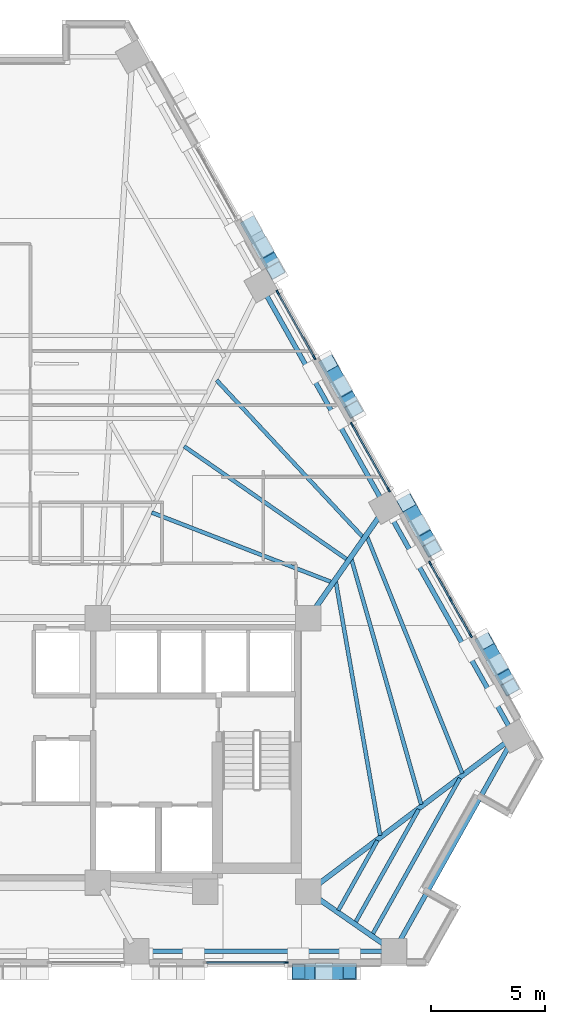
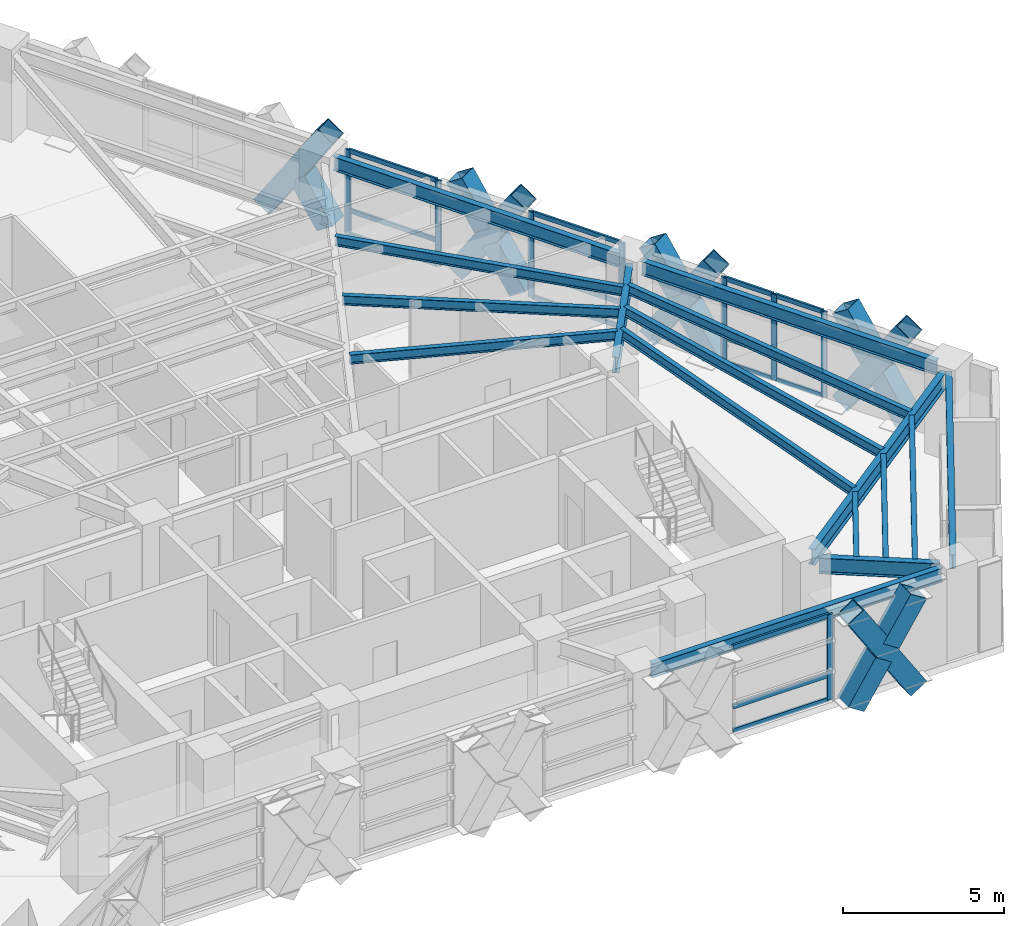
# One storey, part 4 of 14: 37 members, 16 beams, 4 elements without a shape of their own.
"""IFC4 building model written with IfcOpenShell, lengths in metres."""

from ifc_helpers import new_model, si_unit, direction, frame, origin, origin_2d, place, context, subcontext, project, spatial, rectangle, hollow_rectangle, i_section, extrude, material, material_profile, profile_set, type_object, element, aggregate, save


model = new_model("IFC4")

# Units and contexts
model_context = context("Model", 3, precision=1e-05, world=origin(), true_north=direction((0.0, 1.0)))
body_context = subcontext(model_context, "Body", "Model", "MODEL_VIEW")
ifc_project = project(units=[si_unit("LENGTHUNIT", "METRE"), si_unit("AREAUNIT", "SQUARE_METRE"), si_unit("VOLUMEUNIT", "CUBIC_METRE"), si_unit("PLANEANGLEUNIT", "RADIAN"), si_unit("MASSUNIT", "GRAM", prefix="KILO")], contexts=[model_context])

# Site, building, storey
site_placement = place(None, origin())
site = spatial("IfcSite", under=ifc_project, at=site_placement, CompositionType="ELEMENT")
building_placement = place(site_placement, origin())
building = spatial("IfcBuilding", under=site, at=building_placement, Name="Quenlor Broadcast Tower", CompositionType="ELEMENT")
storey_placement = place(building_placement, frame((0.0, 0.0, 102.0)))
storey = spatial("IfcBuildingStorey", under=building, at=storey_placement, Name="L27", CompositionType="ELEMENT", Elevation=102.0)

# Curtain wall, member
ifc_material_1 = material(Name="Architectural Terracotta and Low-E Glazing", Category="masonry")
curtain_wall_type = type_object("IfcCurtainWallType", Name="Unitised Terracotta Curtain Wall System Z2", PredefinedType="NOTDEFINED", material=ifc_material_1)
curtain_wall_1_placement = place(storey_placement, origin())
curtain_wall_1 = element("IfcCurtainWall", 1, at=curtain_wall_1_placement, inside=storey, type_object=curtain_wall_type, Name="L27 Curtain Wall CW2 (L27-SA-G1)", PredefinedType="NOTDEFINED")
ifc_material_2 = material(Name="Aluminium 6063-T6", Category="aluminium")
ifc_material_profile_1 = material_profile(ifc_material_2, rectangle(XDim=0.074951171875, YDim=0.199951171875, at=origin_2d()))
ifc_profile_set_1 = profile_set([ifc_material_profile_1], Name="Aluminium 6063-T6 MULL75x200")
member_type_1 = type_object("IfcMemberType", Name="CW2 Aluminium Mullion MULL_CW2", PredefinedType="MULLION", material=ifc_profile_set_1)
member_1_placement = place(storey_placement, frame((11.981689453125, -19.840087890625, 0.0), z_axis=(0.0, 0.0, 1.0), x_axis=(0.0, -1.0, 0.0)))
member_1 = element("IfcMember", 2, at=member_1_placement, type_object=member_type_1, Name="CW2 mullion 1", PredefinedType="MULLION", context=body_context, shape_type="SweptSolid", body=[
    extrude(rectangle(XDim=0.074951171875, YDim=0.199951171875, at=origin_2d()), origin(), (0.0, 0.0, 1.0), 3.25),
])

# Curtain wall, members
curtain_wall_2_placement = place(storey_placement, origin())
curtain_wall_2 = element("IfcCurtainWall", 3, at=curtain_wall_2_placement, inside=storey, type_object=curtain_wall_type, Name="L27 Curtain Wall CW2 (L27-NEC-G1)", PredefinedType="NOTDEFINED")
member_2_placement = place(storey_placement, frame((18.270263671875, -2.406982421875, 0.0), z_axis=(0.0, 0.0, 1.0), x_axis=(0.871566839915, 0.490276701018, 0.0)))
member_2 = element("IfcMember", 4, at=member_2_placement, type_object=member_type_1, Name="CW2 mullion 1", PredefinedType="MULLION", context=body_context, shape_type="SweptSolid", body=[
    extrude(rectangle(XDim=0.074951171875, YDim=0.199951171875, at=origin_2d()), origin(), (0.0, 0.0, 1.0), 3.25),
])
member_3_placement = place(storey_placement, frame((19.155029296875, -3.97998046875, 0.0), z_axis=(0.0, 0.0, 1.0), x_axis=(0.871566839915, 0.490276701018, 0.0)))
member_3 = element("IfcMember", 5, at=member_3_placement, type_object=member_type_1, Name="CW2 mullion 2", PredefinedType="MULLION", context=body_context, shape_type="SweptSolid", body=[
    extrude(rectangle(XDim=0.074951171875, YDim=0.199951171875, at=origin_2d()), origin(), (0.0, 0.0, 1.0), 3.25),
])
member_4_placement = place(storey_placement, frame((20.0400390625, -5.55322265625, 0.0), z_axis=(0.0, 0.0, 1.0), x_axis=(0.871566839915, 0.490276701018, 0.0)))
member_4 = element("IfcMember", 6, at=member_4_placement, type_object=member_type_1, Name="CW2 mullion 3", PredefinedType="MULLION", context=body_context, shape_type="SweptSolid", body=[
    extrude(rectangle(XDim=0.074951171875, YDim=0.199951171875, at=origin_2d()), origin(), (0.0, 0.0, 1.0), 3.25),
])

curtain_wall_3_placement = place(storey_placement, origin())
curtain_wall_3 = element("IfcCurtainWall", 7, at=curtain_wall_3_placement, inside=storey, type_object=curtain_wall_type, Name="L27 Curtain Wall CW2 (L27-NE-G1)", PredefinedType="NOTDEFINED")
member_5_placement = place(storey_placement, frame((11.611572265625, 9.430419921875, 0.0), z_axis=(0.0, 0.0, 1.0), x_axis=(0.871575537123, 0.490261239636, 0.0)))
member_5 = element("IfcMember", 8, at=member_5_placement, type_object=member_type_1, Name="CW2 mullion 1", PredefinedType="MULLION", context=body_context, shape_type="SweptSolid", body=[
    extrude(rectangle(XDim=0.074951171875, YDim=0.199951171875, at=origin_2d()), origin(), (0.0, 0.0, 1.0), 3.25),
])
member_6_placement = place(storey_placement, frame((13.2138671875, 6.582275390625, 0.0), z_axis=(0.0, 0.0, 1.0), x_axis=(0.871575537123, 0.490261239636, 0.0)))
member_6 = element("IfcMember", 9, at=member_6_placement, type_object=member_type_1, Name="CW2 mullion 2", PredefinedType="MULLION", context=body_context, shape_type="SweptSolid", body=[
    extrude(rectangle(XDim=0.074951171875, YDim=0.199951171875, at=origin_2d()), origin(), (0.0, 0.0, 1.0), 3.25),
])

curtain_wall_4_placement = place(storey_placement, origin())
curtain_wall_4 = element("IfcCurtainWall", 10, at=curtain_wall_4_placement, inside=storey, type_object=curtain_wall_type, Name="L27 Curtain Wall CW2 (L27-NE-G2)", PredefinedType="NOTDEFINED")
member_7_placement = place(storey_placement, frame((14.857177734375, 3.660888671875, 0.0), z_axis=(0.0, 0.0, 1.0), x_axis=(0.871575537123, 0.490261239636, 0.0)))
member_7 = element("IfcMember", 11, at=member_7_placement, type_object=member_type_1, Name="CW2 mullion 1", PredefinedType="MULLION", context=body_context, shape_type="SweptSolid", body=[
    extrude(rectangle(XDim=0.074951171875, YDim=0.199951171875, at=origin_2d()), origin(), (0.0, 0.0, 1.0), 3.25),
])
member_8_placement = place(storey_placement, frame((16.459228515625, 0.812744140625, 0.0), z_axis=(0.0, 0.0, 1.0), x_axis=(0.871575537123, 0.490261239636, 0.0)))
member_8 = element("IfcMember", 12, at=member_8_placement, type_object=member_type_1, Name="CW2 mullion 2", PredefinedType="MULLION", context=body_context, shape_type="SweptSolid", body=[
    extrude(rectangle(XDim=0.074951171875, YDim=0.199951171875, at=origin_2d()), origin(), (0.0, 0.0, 1.0), 3.25),
])

# Member
ifc_material_3 = material(Name="Aluminium 6063-T6", Category="aluminium")
ifc_material_profile_2 = material_profile(ifc_material_3, rectangle(XDim=0.074951171875, YDim=0.1650390625, at=origin_2d()))
ifc_profile_set_2 = profile_set([ifc_material_profile_2], Name="Aluminium 6063-T6 TRAN75x165")
member_type_2 = type_object("IfcMemberType", Name="CW2 Aluminium Transom TRAN_CW2", PredefinedType="USERDEFINED", material=ifc_profile_set_2)
member_9_placement = place(storey_placement, frame((11.944091796875, -19.840087890625, 0.03759765625), z_axis=(-1.0, 0.0, 0.0), x_axis=(0.0, -1.0, 0.0)))
member_9 = element("IfcMember", 13, at=member_9_placement, type_object=member_type_2, Name="CW2 transom 1.1", ObjectType="TRANSOM", PredefinedType="USERDEFINED", context=body_context, shape_type="SweptSolid", body=[
    extrude(rectangle(XDim=0.074951171875, YDim=0.1650390625, at=origin_2d()), origin(), (0.0, 0.0, 1.0), 3.435546875),
])

member_10_placement = place(storey_placement, frame((11.944091796875, -19.840087890625, 0.949951171875), z_axis=(-1.0, 0.0, 0.0), x_axis=(0.0, -1.0, 0.0)))
member_10 = element("IfcMember", 14, at=member_10_placement, type_object=member_type_2, Name="CW2 transom 1.2", ObjectType="TRANSOM", PredefinedType="USERDEFINED", context=body_context, shape_type="SweptSolid", body=[
    extrude(rectangle(XDim=0.074951171875, YDim=0.1650390625, at=origin_2d()), origin(), (0.0, 0.0, 1.0), 3.435546875),
])

member_11_placement = place(storey_placement, frame((11.944091796875, -19.840087890625, 3.21240234375), z_axis=(-1.0, 0.0, 0.0), x_axis=(0.0, -1.0, 0.0)))
member_11 = element("IfcMember", 15, at=member_11_placement, type_object=member_type_2, Name="CW2 transom 1.3", ObjectType="TRANSOM", PredefinedType="USERDEFINED", context=body_context, shape_type="SweptSolid", body=[
    extrude(rectangle(XDim=0.074951171875, YDim=0.1650390625, at=origin_2d()), origin(), (0.0, 0.0, 1.0), 3.435546875),
])

aggregate(curtain_wall_1, [member_1, member_9, member_10, member_11])

member_12_placement = place(storey_placement, frame((18.28857421875, -2.439453125, 0.03759765625), z_axis=(0.490261239633, -0.871575537125, 0.0), x_axis=(0.871575537125, 0.490261239633, 0.0)))
member_12 = element("IfcMember", 16, at=member_12_placement, type_object=member_type_2, Name="CW2 transom 1.1", ObjectType="TRANSOM", PredefinedType="USERDEFINED", context=body_context, shape_type="SweptSolid", body=[
    extrude(rectangle(XDim=0.074951171875, YDim=0.1650390625, at=origin_2d()), origin(), (0.0, 0.0, 1.0), 1.72998046875),
])

member_13_placement = place(storey_placement, frame((18.28857421875, -2.439453125, 0.949951171875), z_axis=(0.490261239633, -0.871575537125, 0.0), x_axis=(0.871575537125, 0.490261239633, 0.0)))
member_13 = element("IfcMember", 17, at=member_13_placement, type_object=member_type_2, Name="CW2 transom 1.2", ObjectType="TRANSOM", PredefinedType="USERDEFINED", context=body_context, shape_type="SweptSolid", body=[
    extrude(rectangle(XDim=0.074951171875, YDim=0.1650390625, at=origin_2d()), origin(), (0.0, 0.0, 1.0), 1.72998046875),
])

member_14_placement = place(storey_placement, frame((18.28857421875, -2.439453125, 3.21240234375), z_axis=(0.490261239633, -0.871575537125, 0.0), x_axis=(0.871575537125, 0.490261239633, 0.0)))
member_14 = element("IfcMember", 18, at=member_14_placement, type_object=member_type_2, Name="CW2 transom 1.3", ObjectType="TRANSOM", PredefinedType="USERDEFINED", context=body_context, shape_type="SweptSolid", body=[
    extrude(rectangle(XDim=0.074951171875, YDim=0.1650390625, at=origin_2d()), origin(), (0.0, 0.0, 1.0), 1.72998046875),
])

member_15_placement = place(storey_placement, frame((19.173583984375, -4.0126953125, 0.03759765625), z_axis=(0.490261239633, -0.871575537125, 0.0), x_axis=(0.871575537125, 0.490261239633, 0.0)))
member_15 = element("IfcMember", 19, at=member_15_placement, type_object=member_type_2, Name="CW2 transom 2.1", ObjectType="TRANSOM", PredefinedType="USERDEFINED", context=body_context, shape_type="SweptSolid", body=[
    extrude(rectangle(XDim=0.074951171875, YDim=0.1650390625, at=origin_2d()), origin(), (0.0, 0.0, 1.0), 1.72998046875),
])

member_16_placement = place(storey_placement, frame((19.173583984375, -4.0126953125, 0.949951171875), z_axis=(0.490261239633, -0.871575537125, 0.0), x_axis=(0.871575537125, 0.490261239633, 0.0)))
member_16 = element("IfcMember", 20, at=member_16_placement, type_object=member_type_2, Name="CW2 transom 2.2", ObjectType="TRANSOM", PredefinedType="USERDEFINED", context=body_context, shape_type="SweptSolid", body=[
    extrude(rectangle(XDim=0.074951171875, YDim=0.1650390625, at=origin_2d()), origin(), (0.0, 0.0, 1.0), 1.72998046875),
])

member_17_placement = place(storey_placement, frame((19.173583984375, -4.0126953125, 3.21240234375), z_axis=(0.490261239633, -0.871575537125, 0.0), x_axis=(0.871575537125, 0.490261239633, 0.0)))
member_17 = element("IfcMember", 21, at=member_17_placement, type_object=member_type_2, Name="CW2 transom 2.3", ObjectType="TRANSOM", PredefinedType="USERDEFINED", context=body_context, shape_type="SweptSolid", body=[
    extrude(rectangle(XDim=0.074951171875, YDim=0.1650390625, at=origin_2d()), origin(), (0.0, 0.0, 1.0), 1.72998046875),
])

aggregate(curtain_wall_2, [member_2, member_3, member_4, member_12, member_13, member_14, member_15, member_16, member_17])

member_18_placement = place(storey_placement, frame((11.630126953125, 9.39794921875, 0.03759765625), z_axis=(0.490206784037, -0.871606166158, 0.0), x_axis=(0.871606166158, 0.490206784037, 0.0)))
member_18 = element("IfcMember", 22, at=member_18_placement, type_object=member_type_2, Name="CW2 transom 1.1", ObjectType="TRANSOM", PredefinedType="USERDEFINED", context=body_context, shape_type="SweptSolid", body=[
    extrude(rectangle(XDim=0.074951171875, YDim=0.1650390625, at=origin_2d()), origin(), (0.0, 0.0, 1.0), 3.19287109375),
])

member_19_placement = place(storey_placement, frame((11.630126953125, 9.39794921875, 0.949951171875), z_axis=(0.490206784037, -0.871606166158, 0.0), x_axis=(0.871606166158, 0.490206784037, 0.0)))
member_19 = element("IfcMember", 23, at=member_19_placement, type_object=member_type_2, Name="CW2 transom 1.2", ObjectType="TRANSOM", PredefinedType="USERDEFINED", context=body_context, shape_type="SweptSolid", body=[
    extrude(rectangle(XDim=0.074951171875, YDim=0.1650390625, at=origin_2d()), origin(), (0.0, 0.0, 1.0), 3.19287109375),
])

member_20_placement = place(storey_placement, frame((11.630126953125, 9.39794921875, 3.21240234375), z_axis=(0.490206784037, -0.871606166158, 0.0), x_axis=(0.871606166158, 0.490206784037, 0.0)))
member_20 = element("IfcMember", 24, at=member_20_placement, type_object=member_type_2, Name="CW2 transom 1.3", ObjectType="TRANSOM", PredefinedType="USERDEFINED", context=body_context, shape_type="SweptSolid", body=[
    extrude(rectangle(XDim=0.074951171875, YDim=0.1650390625, at=origin_2d()), origin(), (0.0, 0.0, 1.0), 3.19287109375),
])

aggregate(curtain_wall_3, [member_5, member_6, member_18, member_19, member_20])

member_21_placement = place(storey_placement, frame((14.87548828125, 3.628173828125, 0.03759765625), z_axis=(0.490297543358, -0.871555115283, 0.0), x_axis=(0.871555115283, 0.490297543358, 0.0)))
member_21 = element("IfcMember", 25, at=member_21_placement, type_object=member_type_2, Name="CW2 transom 1.1", ObjectType="TRANSOM", PredefinedType="USERDEFINED", context=body_context, shape_type="SweptSolid", body=[
    extrude(rectangle(XDim=0.074951171875, YDim=0.1650390625, at=origin_2d()), origin(), (0.0, 0.0, 1.0), 3.19287109375),
])

member_22_placement = place(storey_placement, frame((14.87548828125, 3.628173828125, 0.949951171875), z_axis=(0.490297543358, -0.871555115283, 0.0), x_axis=(0.871555115283, 0.490297543358, 0.0)))
member_22 = element("IfcMember", 26, at=member_22_placement, type_object=member_type_2, Name="CW2 transom 1.2", ObjectType="TRANSOM", PredefinedType="USERDEFINED", context=body_context, shape_type="SweptSolid", body=[
    extrude(rectangle(XDim=0.074951171875, YDim=0.1650390625, at=origin_2d()), origin(), (0.0, 0.0, 1.0), 3.19287109375),
])

member_23_placement = place(storey_placement, frame((14.87548828125, 3.628173828125, 3.21240234375), z_axis=(0.490297543358, -0.871555115283, 0.0), x_axis=(0.871555115283, 0.490297543358, 0.0)))
member_23 = element("IfcMember", 27, at=member_23_placement, type_object=member_type_2, Name="CW2 transom 1.3", ObjectType="TRANSOM", PredefinedType="USERDEFINED", context=body_context, shape_type="SweptSolid", body=[
    extrude(rectangle(XDim=0.074951171875, YDim=0.1650390625, at=origin_2d()), origin(), (0.0, 0.0, 1.0), 3.19287109375),
])

aggregate(curtain_wall_4, [member_7, member_8, member_21, member_22, member_23])

# Members
ifc_material_4 = material(Name="Steel S355", Category="steel")
ifc_material_profile_3 = material_profile(ifc_material_4, hollow_rectangle(XDim=0.679931640625, YDim=0.679931640625, WallThickness=0.030029296875, at=origin_2d()))
ifc_profile_set_3 = profile_set([ifc_material_profile_3], Name="Steel S355 RHS680x680x30")
member_type_3 = type_object("IfcMemberType", Name="Perimeter Diagonal Lattice Brace Z2 Steel S355 RHS680x30", PredefinedType="BRACE", material=ifc_profile_set_3)
member_24_placement = place(storey_placement, frame((14.7578125, -20.235107421875, -0.1201171875), z_axis=(-0.539926440573, 0.0, 0.841712206618), x_axis=(0.0, -1.0, 0.0)))
element("IfcMember", 28, at=member_24_placement, inside=storey, type_object=member_type_3, Name="L27 Perimeter Diamond Lattice S-C1XA", PredefinedType="BRACE", context=body_context, shape_type="SweptSolid", body=[
    extrude(hollow_rectangle(XDim=0.679931640625, YDim=0.679931640625, WallThickness=0.030029296875, at=origin_2d()), origin(), (0.0, 0.0, 1.0), 4.158203125),
])
member_25_placement = place(storey_placement, frame((12.5126953125, -20.235107421875, -0.1201171875), z_axis=(0.539860138754, 0.0, 0.841754733034), x_axis=(0.0, 1.0, 0.0)))
element("IfcMember", 29, at=member_25_placement, inside=storey, type_object=member_type_3, Name="L27 Perimeter Diamond Lattice S-C1XB1", PredefinedType="BRACE", context=body_context, shape_type="SweptSolid", body=[
    extrude(hollow_rectangle(XDim=0.679931640625, YDim=0.679931640625, WallThickness=0.030029296875, at=origin_2d()), origin(), (0.0, 0.0, 1.0), 1.829345703125),
])
member_26_placement = place(storey_placement, frame((13.770263671875, -20.235107421875, 1.84033203125), z_axis=(0.539920793993, 0.0, 0.841715828658), x_axis=(0.0, 1.0, 0.0)))
element("IfcMember", 30, at=member_26_placement, inside=storey, type_object=member_type_3, Name="L27 Perimeter Diamond Lattice S-C1XB2", PredefinedType="BRACE", context=body_context, shape_type="SweptSolid", body=[
    extrude(hollow_rectangle(XDim=0.679931640625, YDim=0.679931640625, WallThickness=0.030029296875, at=origin_2d()), origin(), (0.0, 0.0, 1.0), 1.8291015625),
])
member_27_placement = place(storey_placement, frame((10.40478515625, 12.382080078125, -0.1201171875), z_axis=(0.268642373731, -0.477592925498, 0.83650240439), x_axis=(0.871578380919, 0.490256183964, 0.0)))
element("IfcMember", 31, at=member_27_placement, inside=storey, type_object=member_type_3, Name="L27 Perimeter Diamond Lattice NE-C2XA", PredefinedType="BRACE", context=body_context, shape_type="SweptSolid", body=[
    extrude(hollow_rectangle(XDim=0.679931640625, YDim=0.679931640625, WallThickness=0.030029296875, at=origin_2d()), origin(), (0.0, 0.0, 1.0), 4.18408203125),
])
member_28_placement = place(storey_placement, frame((11.52880859375, 10.3837890625, -0.1201171875), z_axis=(-0.268626747826, 0.477617562488, 0.836493355834), x_axis=(-0.871601370751, -0.490215310353, 0.0)))
element("IfcMember", 32, at=member_28_placement, inside=storey, type_object=member_type_3, Name="L27 Perimeter Diamond Lattice NE-C2XB1", PredefinedType="BRACE", context=body_context, shape_type="SweptSolid", body=[
    extrude(hollow_rectangle(XDim=0.679931640625, YDim=0.679931640625, WallThickness=0.030029296875, at=origin_2d()), origin(), (0.0, 0.0, 1.0), 1.84228515625),
])
member_29_placement = place(storey_placement, frame((13.81787109375, 6.314453125, -0.1201171875), z_axis=(0.268642373731, -0.477592925498, 0.83650240439), x_axis=(0.871578380919, 0.490256183964, 0.0)))
element("IfcMember", 33, at=member_29_placement, inside=storey, type_object=member_type_3, Name="L27 Perimeter Diamond Lattice NE-C3XA", PredefinedType="BRACE", context=body_context, shape_type="SweptSolid", body=[
    extrude(hollow_rectangle(XDim=0.679931640625, YDim=0.679931640625, WallThickness=0.030029296875, at=origin_2d()), origin(), (0.0, 0.0, 1.0), 4.18408203125),
])
for number, where, z_axis, x_axis, name in (
    (34, (14.94189453125, 4.316162109375, -0.1201171875), (-0.268643750061, 0.477515259729, 0.836546300141), (-0.871543234879, -0.490318661421, 0.0), "L27 Perimeter Diamond Lattice NE-C3XB1"),
    (35, (14.3125, 5.4345703125, 1.839111328125), (-0.268533549845, 0.477687519073, 0.836483333205), (-0.871704696361, -0.490031552394, 0.0), "L27 Perimeter Diamond Lattice NE-C3XB2"),
):
    element("IfcMember", number, at=place(storey_placement, frame(where, z_axis=z_axis, x_axis=x_axis)), inside=storey, type_object=member_type_3, Name=name, PredefinedType="BRACE", context=body_context, shape_type="SweptSolid", body=[
        extrude(hollow_rectangle(XDim=0.679931640625, YDim=0.679931640625, WallThickness=0.030029296875, at=origin_2d()), origin(), (0.0, 0.0, 1.0), 1.842041015625),
    ])
member_30_placement = place(storey_placement, frame((17.230712890625, 0.24658203125, -0.1201171875), z_axis=(0.268696511206, -0.477585438485, 0.836489290913), x_axis=(0.871532878923, 0.490337068716, 0.0)))
element("IfcMember", 36, at=member_30_placement, inside=storey, type_object=member_type_3, Name="L27 Perimeter Diamond Lattice NE-C4XA", PredefinedType="BRACE", context=body_context, shape_type="SweptSolid", body=[
    extrude(hollow_rectangle(XDim=0.679931640625, YDim=0.679931640625, WallThickness=0.030029296875, at=origin_2d()), origin(), (0.0, 0.0, 1.0), 4.18408203125),
])
member_31_placement = place(storey_placement, frame((18.35498046875, -1.751708984375, -0.1201171875), z_axis=(-0.268626747826, 0.477617562488, 0.836493355834), x_axis=(-0.871601370751, -0.490215310353, 0.0)))
element("IfcMember", 37, at=member_31_placement, inside=storey, type_object=member_type_3, Name="L27 Perimeter Diamond Lattice NE-C4XB1", PredefinedType="BRACE", context=body_context, shape_type="SweptSolid", body=[
    extrude(hollow_rectangle(XDim=0.679931640625, YDim=0.679931640625, WallThickness=0.030029296875, at=origin_2d()), origin(), (0.0, 0.0, 1.0), 1.84228515625),
])
member_32_placement = place(storey_placement, frame((17.7255859375, -0.633056640625, 1.839111328125), z_axis=(-0.268673537114, 0.477568206326, 0.836506508499), x_axis=(-0.871543234879, -0.490318661421, 0.0)))
element("IfcMember", 38, at=member_32_placement, inside=storey, type_object=member_type_3, Name="L27 Perimeter Diamond Lattice NE-C4XB2", PredefinedType="BRACE", context=body_context, shape_type="SweptSolid", body=[
    extrude(hollow_rectangle(XDim=0.679931640625, YDim=0.679931640625, WallThickness=0.030029296875, at=origin_2d()), origin(), (0.0, 0.0, 1.0), 1.841796875),
])
member_33_placement = place(storey_placement, frame((20.643798828125, -5.821044921875, -0.1201171875), z_axis=(0.268696511206, -0.477585438485, 0.836489290913), x_axis=(0.871532878923, 0.490337068716, 0.0)))
element("IfcMember", 39, at=member_33_placement, inside=storey, type_object=member_type_3, Name="L27 Perimeter Diamond Lattice NE-C5XA", PredefinedType="BRACE", context=body_context, shape_type="SweptSolid", body=[
    extrude(hollow_rectangle(XDim=0.679931640625, YDim=0.679931640625, WallThickness=0.030029296875, at=origin_2d()), origin(), (0.0, 0.0, 1.0), 4.18408203125),
])
member_34_placement = place(storey_placement, frame((21.76806640625, -7.8193359375, -0.1201171875), z_axis=(-0.268626747826, 0.477617562488, 0.836493355834), x_axis=(-0.871601370751, -0.490215310353, 0.0)))
element("IfcMember", 40, at=member_34_placement, inside=storey, type_object=member_type_3, Name="L27 Perimeter Diamond Lattice NE-C5XB1", PredefinedType="BRACE", context=body_context, shape_type="SweptSolid", body=[
    extrude(hollow_rectangle(XDim=0.679931640625, YDim=0.679931640625, WallThickness=0.030029296875, at=origin_2d()), origin(), (0.0, 0.0, 1.0), 1.84228515625),
])
member_35_placement = place(storey_placement, frame((21.138916015625, -6.70068359375, 1.839111328125), z_axis=(-0.268796509928, 0.477551195893, 0.836476713096), x_axis=(-0.871439858367, -0.49050236824, 0.0)))
element("IfcMember", 41, at=member_35_placement, inside=storey, type_object=member_type_3, Name="L27 Perimeter Diamond Lattice NE-C5XB2", PredefinedType="BRACE", context=body_context, shape_type="SweptSolid", body=[
    extrude(hollow_rectangle(XDim=0.679931640625, YDim=0.679931640625, WallThickness=0.030029296875, at=origin_2d()), origin(), (0.0, 0.0, 1.0), 1.842041015625),
])

# Beams
ifc_material_5 = material(Name="Steel S355", Category="steel")
ifc_material_profile_4 = material_profile(ifc_material_5, i_section(OverallWidth=0.208984375, OverallDepth=0.5283203125, WebThickness=0.009521484375, FlangeThickness=0.01318359375, FilletRadius=0.013916015625, at=origin_2d()))
ifc_profile_set_4 = profile_set([ifc_material_profile_4], Name="Steel S355 530UB82.0")
beam_type_1 = type_object("IfcBeamType", Name="Perimeter Spandrel Beam Z2 Steel S355 530UB82.0", PredefinedType="SPANDREL", material=ifc_profile_set_4)
beam_1_placement = place(storey_placement, frame((5.853271484375, -19.35009765625, 2.98583984375), z_axis=(1.0, 0.0, 0.0), x_axis=(0.0, 1.0, 0.0)))
element("IfcBeam", 42, at=beam_1_placement, inside=storey, type_object=beam_type_1, Name="L27 Spandrel Beam S3-S4", PredefinedType="SPANDREL", context=body_context, shape_type="SweptSolid", body=[
    extrude(i_section(OverallWidth=0.208984375, OverallDepth=0.5283203125, WebThickness=0.009521484375, FlangeThickness=0.01318359375, FilletRadius=0.013916015625, at=origin_2d()), origin(), (0.0, 0.0, 1.0), 10.42919921875),
])
beam_2_placement = place(storey_placement, frame((16.892822265625, -18.9921875, 2.98583984375), z_axis=(0.488749102779, 0.872424389006, 0.0), x_axis=(-0.872424389006, 0.488749102779, 0.0)))
element("IfcBeam", 43, at=beam_2_placement, inside=storey, type_object=beam_type_1, Name="L27 Spandrel Beam S4-NE1", PredefinedType="SPANDREL", context=body_context, shape_type="SweptSolid", body=[
    extrude(i_section(OverallWidth=0.208984375, OverallDepth=0.5283203125, WebThickness=0.009521484375, FlangeThickness=0.01318359375, FilletRadius=0.013916015625, at=origin_2d()), origin(), (0.0, 0.0, 1.0), 9.947021484375),
])
beam_3_placement = place(storey_placement, frame((21.753662109375, -9.59912109375, 2.98583984375), z_axis=(-0.490263415828, 0.871574313011, 0.0), x_axis=(-0.871574313011, -0.490263415828, 0.0)))
element("IfcBeam", 44, at=beam_3_placement, inside=storey, type_object=beam_type_1, Name="L27 Spandrel Beam NE1-NE2", PredefinedType="SPANDREL", context=body_context, shape_type="SweptSolid", body=[
    extrude(i_section(OverallWidth=0.208984375, OverallDepth=0.5283203125, WebThickness=0.009521484375, FlangeThickness=0.01318359375, FilletRadius=0.013916015625, at=origin_2d()), origin(), (0.0, 0.0, 1.0), 10.65283203125),
])
beam_4_placement = place(storey_placement, frame((16.129150390625, 0.400146484375, 2.98583984375), z_axis=(-0.49026462139, 0.871573634878, 0.0), x_axis=(-0.871573634878, -0.49026462139, 0.0)))
element("IfcBeam", 45, at=beam_4_placement, inside=storey, type_object=beam_type_1, Name="L27 Spandrel Beam NE2-NE3", PredefinedType="SPANDREL", context=body_context, shape_type="SweptSolid", body=[
    extrude(i_section(OverallWidth=0.208984375, OverallDepth=0.5283203125, WebThickness=0.009521484375, FlangeThickness=0.01318359375, FilletRadius=0.013916015625, at=origin_2d()), origin(), (0.0, 0.0, 1.0), 10.28271484375),
])
ifc_material_6 = material(Name="Steel S355", Category="steel")
ifc_material_profile_5 = material_profile(ifc_material_6, i_section(OverallWidth=0.172119140625, OverallDepth=0.358642578125, WebThickness=0.008056640625, FlangeThickness=0.012939453125, FilletRadius=0.011474609375, at=origin_2d()))
ifc_profile_set_5 = profile_set([ifc_material_profile_5], Name="Steel S355 360UB56.7")
beam_type_2 = type_object("IfcBeamType", Name="Tower Composite Joist Z2-Z3 Steel S355 360UB56.7", PredefinedType="JOIST", material=ifc_profile_set_5)
beam_5_placement = place(storey_placement, frame((13.95703125, -3.221435546875, 3.07080078125), z_axis=(-0.932542579586, 0.361060018916, 0.0), x_axis=(-0.361060018916, -0.932542579586, 0.0)))
element("IfcBeam", 46, at=beam_5_placement, inside=storey, type_object=beam_type_2, Name="L27 Secondary Composite Joist 10", PredefinedType="JOIST", context=body_context, shape_type="SweptSolid", body=[
    extrude(i_section(OverallWidth=0.172119140625, OverallDepth=0.358642578125, WebThickness=0.008056640625, FlangeThickness=0.012939453125, FilletRadius=0.011474609375, at=origin_2d()), origin(), (0.0, 0.0, 1.0), 8.416259765625),
])
beam_6_placement = place(storey_placement, frame((14.641845703125, -2.236083984375, 3.07080078125), z_axis=(-0.821385737622, 0.570373097219, 0.0), x_axis=(-0.570373097219, -0.821385737622, 0.0)))
element("IfcBeam", 47, at=beam_6_placement, inside=storey, type_object=beam_type_2, Name="L27 Secondary Composite Joist 11", PredefinedType="JOIST", context=body_context, shape_type="SweptSolid", body=[
    extrude(i_section(OverallWidth=0.172119140625, OverallDepth=0.358642578125, WebThickness=0.008056640625, FlangeThickness=0.012939453125, FilletRadius=0.011474609375, at=origin_2d()), origin(), (0.0, 0.0, 1.0), 8.662109375),
])
beam_7_placement = place(storey_placement, frame((15.3291015625, -1.254638671875, 3.07080078125), z_axis=(-0.681880655944, 0.73146344478, 0.0), x_axis=(-0.73146344478, -0.681880655944, 0.0)))
element("IfcBeam", 48, at=beam_7_placement, inside=storey, type_object=beam_type_2, Name="L27 Secondary Composite Joist 12", PredefinedType="JOIST", context=body_context, shape_type="SweptSolid", body=[
    extrude(i_section(OverallWidth=0.172119140625, OverallDepth=0.358642578125, WebThickness=0.008056640625, FlangeThickness=0.012939453125, FilletRadius=0.011474609375, at=origin_2d()), origin(), (0.0, 0.0, 1.0), 9.365234375),
])
beam_8_placement = place(storey_placement, frame((16.087890625, -14.29345703125, 3.07080078125), z_axis=(-0.172120396521, 0.985075920476, 0.0), x_axis=(-0.985075920476, -0.172120396521, 0.0)))
element("IfcBeam", 49, at=beam_8_placement, inside=storey, type_object=beam_type_2, Name="L27 Secondary Composite Joist 16", PredefinedType="JOIST", context=body_context, shape_type="SweptSolid", body=[
    extrude(i_section(OverallWidth=0.172119140625, OverallDepth=0.358642578125, WebThickness=0.008056640625, FlangeThickness=0.012939453125, FilletRadius=0.011474609375, at=origin_2d()), origin(), (0.0, 0.0, 1.0), 11.27783203125),
])
beam_9_placement = place(storey_placement, frame((17.880615234375, -12.9365234375, 3.07080078125), z_axis=(-0.273563993601, 0.96185380459, 0.0), x_axis=(-0.96185380459, -0.273563993601, 0.0)))
element("IfcBeam", 50, at=beam_9_placement, inside=storey, type_object=beam_type_2, Name="L27 Secondary Composite Joist 17", PredefinedType="JOIST", context=body_context, shape_type="SweptSolid", body=[
    extrude(i_section(OverallWidth=0.172119140625, OverallDepth=0.358642578125, WebThickness=0.008056640625, FlangeThickness=0.012939453125, FilletRadius=0.011474609375, at=origin_2d()), origin(), (0.0, 0.0, 1.0), 11.1484375),
])
beam_10_placement = place(storey_placement, frame((19.673583984375, -11.580810546875, 3.07080078125), z_axis=(-0.373180395983, 0.92775880058, 0.0), x_axis=(-0.92775880058, -0.373180395983, 0.0)))
element("IfcBeam", 51, at=beam_10_placement, inside=storey, type_object=beam_type_2, Name="L27 Secondary Composite Joist 18", PredefinedType="JOIST", context=body_context, shape_type="SweptSolid", body=[
    extrude(i_section(OverallWidth=0.172119140625, OverallDepth=0.358642578125, WebThickness=0.008056640625, FlangeThickness=0.012939453125, FilletRadius=0.011474609375, at=origin_2d()), origin(), (0.0, 0.0, 1.0), 11.143798828125),
])
beam_11_placement = place(storey_placement, frame((14.261474609375, -17.564208984375, 3.07080078125), z_axis=(0.488730779643, 0.87243465373, 0.0), x_axis=(-0.87243465373, 0.488730779643, 0.0)))
element("IfcBeam", 52, at=beam_11_placement, inside=storey, type_object=beam_type_2, Name="L27 Secondary Composite Joist 22", PredefinedType="JOIST", context=body_context, shape_type="SweptSolid", body=[
    extrude(i_section(OverallWidth=0.172119140625, OverallDepth=0.358642578125, WebThickness=0.008056640625, FlangeThickness=0.012939453125, FilletRadius=0.011474609375, at=origin_2d()), origin(), (0.0, 0.0, 1.0), 3.500732421875),
])
beam_12_placement = place(storey_placement, frame((15.010009765625, -18.084228515625, 3.07080078125), z_axis=(0.488741419435, 0.87242869332, 0.0), x_axis=(-0.87242869332, 0.488741419435, 0.0)))
element("IfcBeam", 53, at=beam_12_placement, inside=storey, type_object=beam_type_2, Name="L27 Secondary Composite Joist 23", PredefinedType="JOIST", context=body_context, shape_type="SweptSolid", body=[
    extrude(i_section(OverallWidth=0.172119140625, OverallDepth=0.358642578125, WebThickness=0.008056640625, FlangeThickness=0.012939453125, FilletRadius=0.011474609375, at=origin_2d()), origin(), (0.0, 0.0, 1.0), 5.654052734375),
])
beam_13_placement = place(storey_placement, frame((15.758544921875, -18.604248046875, 3.07080078125), z_axis=(0.488732857155, 0.872433489922, 0.0), x_axis=(-0.872433489922, 0.488732857155, 0.0)))
element("IfcBeam", 54, at=beam_13_placement, inside=storey, type_object=beam_type_2, Name="L27 Secondary Composite Joist 24", PredefinedType="JOIST", context=body_context, shape_type="SweptSolid", body=[
    extrude(i_section(OverallWidth=0.172119140625, OverallDepth=0.358642578125, WebThickness=0.008056640625, FlangeThickness=0.012939453125, FilletRadius=0.011474609375, at=origin_2d()), origin(), (0.0, 0.0, 1.0), 7.807861328125),
])
ifc_material_7 = material(Name="Steel S355", Category="steel")
ifc_material_profile_6 = material_profile(ifc_material_7, i_section(OverallWidth=0.22802734375, OverallDepth=0.60205078125, WebThickness=0.010498046875, FlangeThickness=0.014892578125, FilletRadius=0.013916015625, at=origin_2d()))
ifc_profile_set_6 = profile_set([ifc_material_profile_6], Name="Steel S355 610UB101")
beam_type_3 = type_object("IfcBeamType", Name="Tower Primary Floor Beam Z2 Steel S355 610UB101", PredefinedType="BEAM", material=ifc_profile_set_6)
beam_14_placement = place(storey_placement, frame((16.355712890625, -19.1162109375, 2.948974609375), z_axis=(-0.821227395059, 0.570601056436, 0.0), x_axis=(-0.570601056436, -0.821227395059, 0.0)))
element("IfcBeam", 55, at=beam_14_placement, inside=storey, type_object=beam_type_3, Name="L27 Primary Radial Beam S4", PredefinedType="BEAM", context=body_context, shape_type="SweptSolid", body=[
    extrude(i_section(OverallWidth=0.22802734375, OverallDepth=0.60205078125, WebThickness=0.010498046875, FlangeThickness=0.014892578125, FilletRadius=0.013916015625, at=origin_2d()), origin(), (0.0, 0.0, 1.0), 3.766845703125),
])
beam_15_placement = place(storey_placement, frame((21.62744140625, -10.203369140625, 2.948974609375), z_axis=(-0.798298724007, -0.602261693327, 0.0), x_axis=(0.602261693327, -0.798298724007, 0.0)))
element("IfcBeam", 56, at=beam_15_placement, inside=storey, type_object=beam_type_3, Name="L27 Primary Radial Beam NE1", PredefinedType="BEAM", context=body_context, shape_type="SweptSolid", body=[
    extrude(i_section(OverallWidth=0.22802734375, OverallDepth=0.60205078125, WebThickness=0.010498046875, FlangeThickness=0.014892578125, FilletRadius=0.013916015625, at=origin_2d()), origin(), (0.0, 0.0, 1.0), 10.48974609375),
])
beam_16_placement = place(storey_placement, frame((16.095458984375, -0.293212890625, 2.948974609375), z_axis=(-0.572337599985, -0.820018092266, 0.0), x_axis=(0.820018092266, -0.572337599985, 0.0)))
element("IfcBeam", 57, at=beam_16_placement, inside=storey, type_object=beam_type_3, Name="L27 Primary Radial Beam NE2", PredefinedType="BEAM", context=body_context, shape_type="SweptSolid", body=[
    extrude(i_section(OverallWidth=0.22802734375, OverallDepth=0.60205078125, WebThickness=0.010498046875, FlangeThickness=0.014892578125, FilletRadius=0.013916015625, at=origin_2d()), origin(), (0.0, 0.0, 1.0), 5.11572265625),
])

save(model, "model.ifc")
